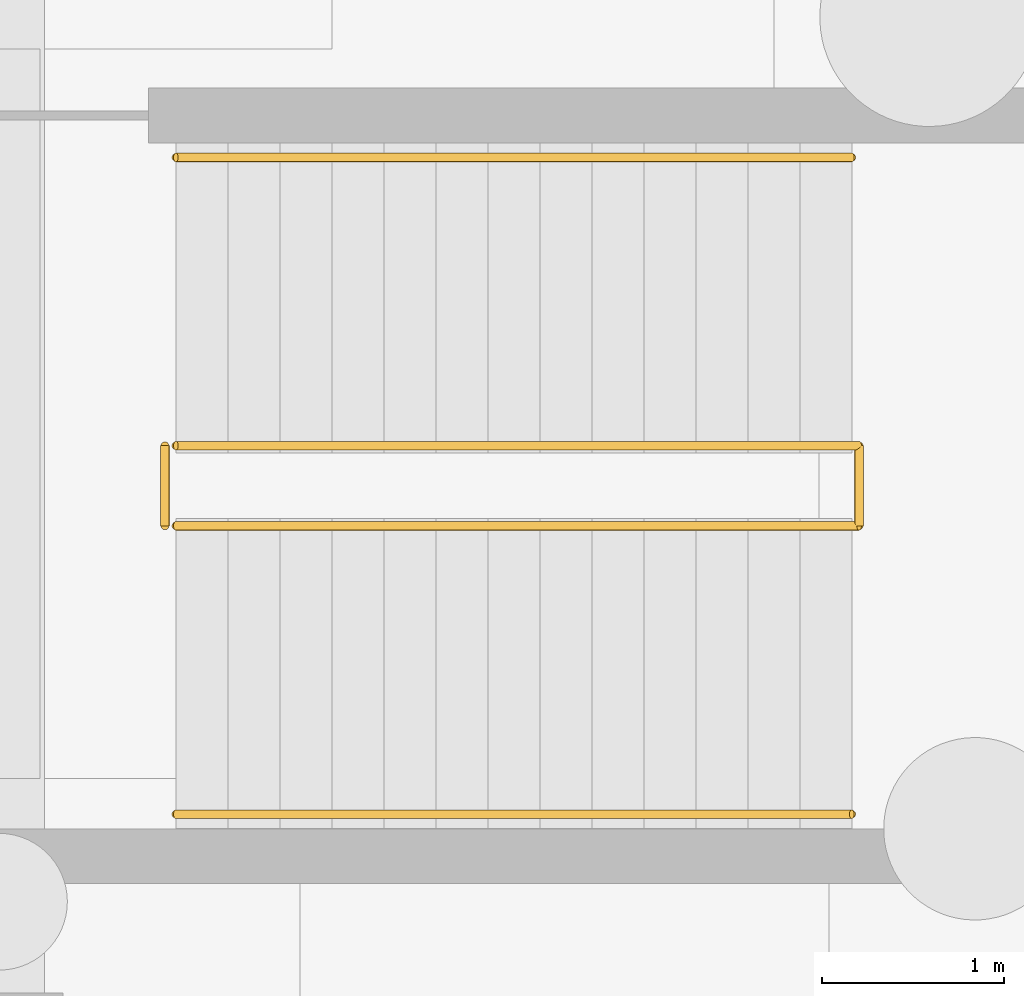
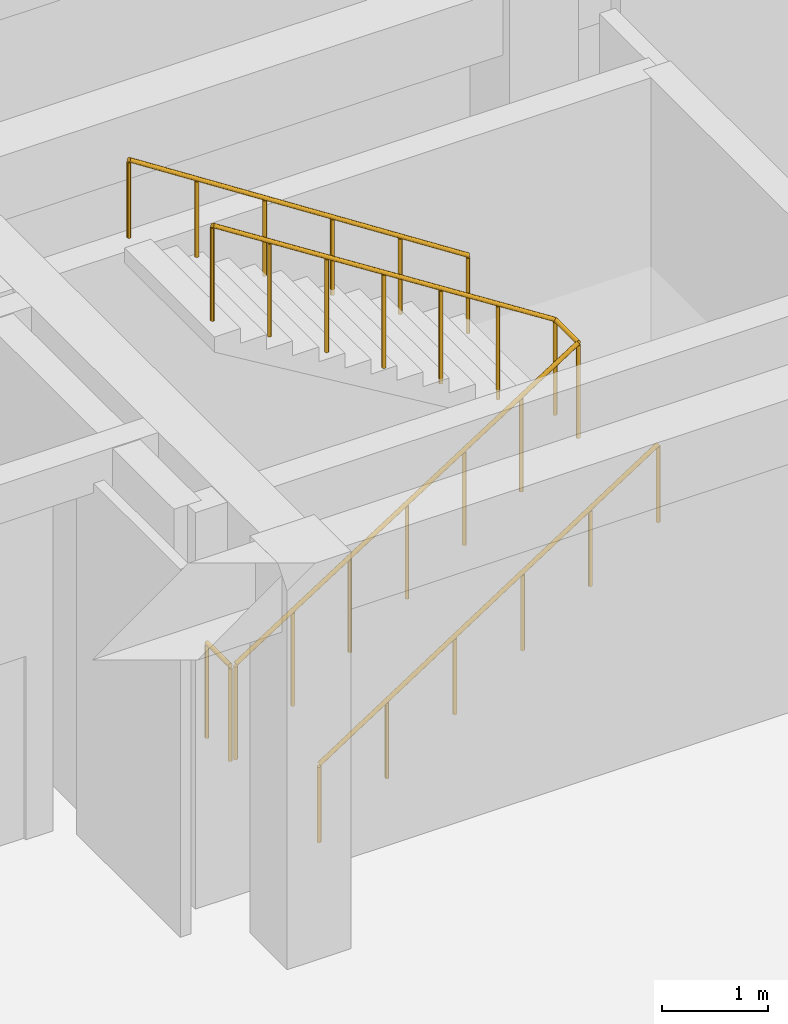
# One storey, part 33 of 34: 4 railings.
"""IFC4 building model written with IfcOpenShell, lengths in metres."""

from ifc_helpers import new_model, si_unit, direction, frame, origin, origin_2d, place, context, subcontext, project, spatial, circle, extrude, material, type_object, element, save


model = new_model("IFC4")

# Units and contexts
model_context = context("Model", 3, precision=1e-05, world=origin(), true_north=direction((0.0, 1.0)))
body_context = subcontext(model_context, "Body", "Model", "MODEL_VIEW")
ifc_project = project(units=[si_unit("LENGTHUNIT", "METRE"), si_unit("AREAUNIT", "SQUARE_METRE"), si_unit("VOLUMEUNIT", "CUBIC_METRE"), si_unit("PLANEANGLEUNIT", "RADIAN"), si_unit("MASSUNIT", "GRAM", prefix="KILO")], contexts=[model_context])

# Site, building, storey
site_placement = place(None, origin())
site = spatial("IfcSite", under=ifc_project, at=site_placement, CompositionType="ELEMENT")
building_placement = place(site_placement, origin())
building = spatial("IfcBuilding", under=site, at=building_placement, Name="Kharisveld Research Institute", CompositionType="ELEMENT")
storey_placement = place(building_placement, frame((0.0, 0.0, -4.800048828125)))
storey = spatial("IfcBuildingStorey", under=building, at=storey_placement, Name="B1", CompositionType="ELEMENT", Elevation=-4.800048828125)

# Railings
ifc_material_1 = material(Name="Steel S355JR", Category="steel")
railing_type_1 = type_object("IfcRailingType", Name="RL_GRD_STR", PredefinedType="GUARDRAIL", material=ifc_material_1)
railing_1_placement = place(storey_placement, frame((148.570068359375, 42.110107421875, 0.0)))
element("IfcRailing", 1, at=railing_1_placement, inside=storey, type_object=railing_type_1, Name="RLG:ST3:B1:GRD_SLOT", PredefinedType="GUARDRAIL", context=body_context, shape_type="SweptSolid", body=[
    extrude(circle(Radius=0.02392578125, at=origin_2d()), frame((0.0, 0.0, 1.09619140625), z_axis=(0.841921337968, 0.0, 0.539600278608), x_axis=(0.0, 1.0, 0.0)), (0.0, 0.0, 1.0), 4.447998046875),
    extrude(circle(Radius=0.02392578125, at=origin_2d()), frame((3.744873046875, 0.0, 3.49609375), z_axis=(0.0, 1.0, 0.0), x_axis=(-1.0, 0.0, 0.0)), (0.0, 0.0, 1.0), 0.43994140625),
    extrude(circle(Radius=0.02392578125, at=origin_2d()), frame((3.744873046875, 0.43994140625, 3.49609375), z_axis=(-0.841946273312, 0.0, 0.539561370797), x_axis=(0.0, -1.0, 0.0)), (0.0, 0.0, 1.0), 4.447998046875),
    extrude(circle(Radius=0.02099609375, at=origin_2d()), origin(), (0.0, 0.0, 1.0), 1.072021484375),
    extrude(circle(Radius=0.02099609375, at=origin_2d()), frame((0.6240234375, 0.0, 0.39990234375)), (0.0, 0.0, 1.0), 1.072021484375),
    extrude(circle(Radius=0.02099609375, at=origin_2d()), frame((1.248291015625, 0.0, 0.800048828125)), (0.0, 0.0, 1.0), 1.072021484375),
    extrude(circle(Radius=0.02099609375, at=origin_2d()), frame((1.87255859375, 0.0, 1.2001953125)), (0.0, 0.0, 1.0), 1.072021484375),
    extrude(circle(Radius=0.02099609375, at=origin_2d()), frame((2.49658203125, 0.0, 1.60009765625)), (0.0, 0.0, 1.0), 1.072021484375),
    extrude(circle(Radius=0.02099609375, at=origin_2d()), frame((3.12060546875, 0.0, 2.0)), (0.0, 0.0, 1.0), 1.072021484375),
    extrude(circle(Radius=0.02099609375, at=origin_2d()), frame((3.744873046875, 0.0, 2.400146484375)), (0.0, 0.0, 1.0), 1.072021484375),
    extrude(circle(Radius=0.02099609375, at=origin_2d()), frame((3.744873046875, 0.43994140625, 2.400146484375)), (0.0, 0.0, 1.0), 1.072021484375),
    extrude(circle(Radius=0.02099609375, at=origin_2d()), frame((3.12060546875, 0.43994140625, 2.800048828125)), (0.0, 0.0, 1.0), 1.072021484375),
    extrude(circle(Radius=0.02099609375, at=origin_2d()), frame((2.49658203125, 0.43994140625, 3.2001953125)), (0.0, 0.0, 1.0), 1.072021484375),
    extrude(circle(Radius=0.02099609375, at=origin_2d()), frame((1.87255859375, 0.43994140625, 3.60009765625)), (0.0, 0.0, 1.0), 1.072021484375),
    extrude(circle(Radius=0.02099609375, at=origin_2d()), frame((1.248291015625, 0.43994140625, 4.0)), (0.0, 0.0, 1.0), 1.072021484375),
    extrude(circle(Radius=0.02099609375, at=origin_2d()), frame((0.6240234375, 0.43994140625, 4.400146484375)), (0.0, 0.0, 1.0), 1.072021484375),
    extrude(circle(Radius=0.02099609375, at=origin_2d()), frame((0.0, 0.43994140625, 4.800048828125)), (0.0, 0.0, 1.0), 1.072021484375),
])
railing_2_placement = place(storey_placement, frame((148.510009765625, 42.110107421875, 0.0)))
element("IfcRailing", 2, at=railing_2_placement, inside=storey, type_object=railing_type_1, Name="RLG:ST3:B1:GRD_FLRSLOT", PredefinedType="GUARDRAIL", context=body_context, shape_type="SweptSolid", body=[
    extrude(circle(Radius=0.02392578125, at=origin_2d()), frame((0.0, 0.0, 1.09619140625), z_axis=(0.0, 1.0, 0.0), x_axis=(-1.0, 0.0, 0.0)), (0.0, 0.0, 1.0), 0.43994140625),
    extrude(circle(Radius=0.02099609375, at=origin_2d()), origin(), (0.0, 0.0, 1.0), 1.072021484375),
    extrude(circle(Radius=0.02099609375, at=origin_2d()), frame((0.0, 0.43994140625, 0.0)), (0.0, 0.0, 1.0), 1.072021484375),
])
ifc_material_2 = material(Name="Stainless Steel 316", Category="steel")
railing_type_2 = type_object("IfcRailingType", Name="RL_HND_STR", PredefinedType="HANDRAIL", material=ifc_material_2)
railing_3_placement = place(storey_placement, frame((148.570068359375, 40.530029296875, 0.0)))
element("IfcRailing", 3, at=railing_3_placement, inside=storey, type_object=railing_type_2, Name="RLG:ST3:B1:HR1", PredefinedType="HANDRAIL", context=body_context, shape_type="SweptSolid", body=[
    extrude(circle(Radius=0.02392578125, at=origin_2d()), frame((0.0, 0.0, 0.89599609375), z_axis=(0.839270297198, 0.0, 0.543714417908), x_axis=(0.0, 1.0, 0.0)), (0.0, 0.0, 1.0), 4.414306640625),
    extrude(circle(Radius=0.02099609375, at=origin_2d()), origin(), (0.0, 0.0, 1.0), 0.871826171875),
    extrude(circle(Radius=0.02099609375, at=origin_2d()), frame((0.740966796875, 0.0, 0.47998046875)), (0.0, 0.0, 1.0), 0.871826171875),
    extrude(circle(Radius=0.02099609375, at=origin_2d()), frame((1.48193359375, 0.0, 0.9599609375)), (0.0, 0.0, 1.0), 0.871826171875),
    extrude(circle(Radius=0.02099609375, at=origin_2d()), frame((2.222900390625, 0.0, 1.440185546875)), (0.0, 0.0, 1.0), 0.871826171875),
    extrude(circle(Radius=0.02099609375, at=origin_2d()), frame((2.9638671875, 0.0, 1.920166015625)), (0.0, 0.0, 1.0), 0.871826171875),
    extrude(circle(Radius=0.02099609375, at=origin_2d()), frame((3.704833984375, 0.0, 2.400146484375)), (0.0, 0.0, 1.0), 0.871826171875),
])
railing_4_placement = place(storey_placement, frame((152.27490234375, 44.1298828125, 2.400146484375)))
element("IfcRailing", 4, at=railing_4_placement, inside=storey, type_object=railing_type_2, Name="RLG:ST3:B1:HR2", PredefinedType="HANDRAIL", context=body_context, shape_type="SweptSolid", body=[
    extrude(circle(Radius=0.02392578125, at=origin_2d()), frame((0.0, 0.0, 0.89599609375), z_axis=(-0.839295534525, 0.0, 0.543675459926), x_axis=(0.0, -1.0, 0.0)), (0.0, 0.0, 1.0), 4.414306640625),
    extrude(circle(Radius=0.02099609375, at=origin_2d()), origin(), (0.0, 0.0, 1.0), 0.871826171875),
    extrude(circle(Radius=0.02099609375, at=origin_2d()), frame((-0.740966796875, 0.0, 0.47998046875)), (0.0, 0.0, 1.0), 0.871826171875),
    extrude(circle(Radius=0.02099609375, at=origin_2d()), frame((-1.48193359375, 0.0, 0.9599609375)), (0.0, 0.0, 1.0), 0.871826171875),
    extrude(circle(Radius=0.02099609375, at=origin_2d()), frame((-2.222900390625, 0.0, 1.43994140625)), (0.0, 0.0, 1.0), 0.871826171875),
    extrude(circle(Radius=0.02099609375, at=origin_2d()), frame((-2.9638671875, 0.0, 1.919921875)), (0.0, 0.0, 1.0), 0.871826171875),
    extrude(circle(Radius=0.02099609375, at=origin_2d()), frame((-3.704833984375, 0.0, 2.39990234375)), (0.0, 0.0, 1.0), 0.871826171875),
])

save(model, "model.ifc")
